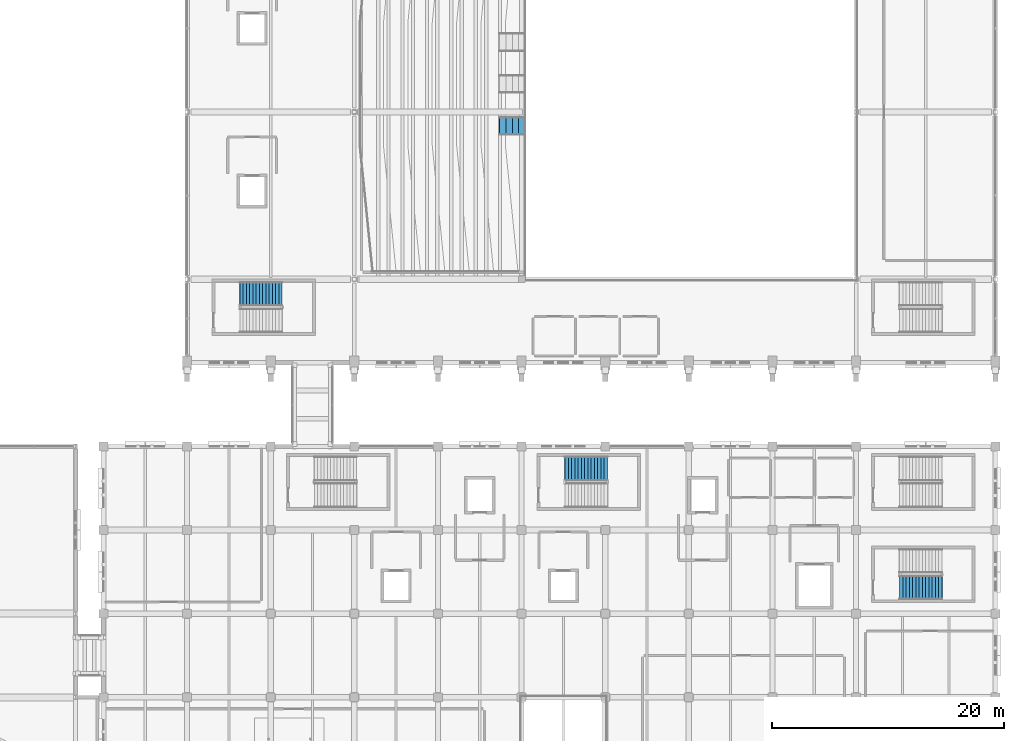
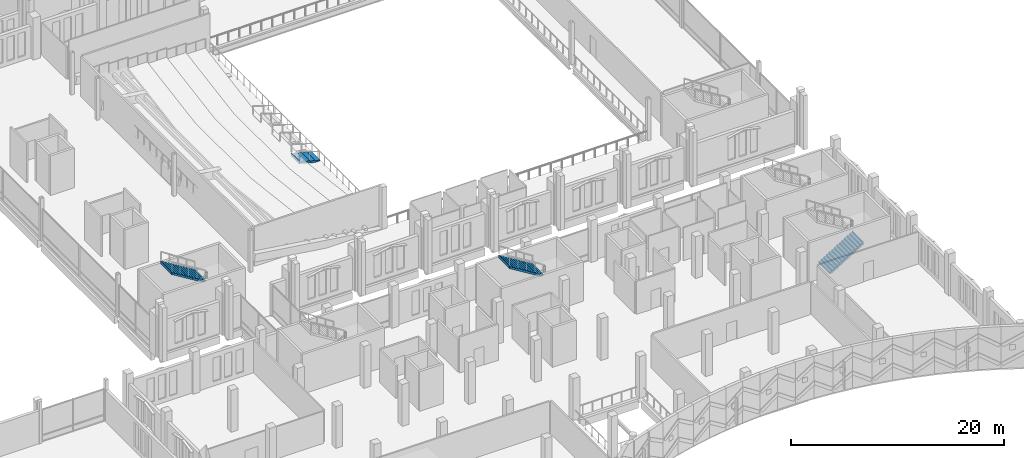
# One storey, part 167 of 193: 4 stair flights, 4 elements without a shape of their own.
"""IFC4 building model written with IfcOpenShell, lengths in metres."""

from ifc_helpers import new_model, si_unit, direction, frame, origin, place, context, subcontext, project, spatial, triangles, material, type_object, element, aggregate, save


model = new_model("IFC4")

# Units and contexts
model_context = context("Model", 3, precision=1e-05, world=origin(), true_north=direction((0.0, 1.0)))
body_context = subcontext(model_context, "Body", "Model", "MODEL_VIEW")
ifc_project = project(units=[si_unit("LENGTHUNIT", "METRE"), si_unit("AREAUNIT", "SQUARE_METRE"), si_unit("VOLUMEUNIT", "CUBIC_METRE"), si_unit("PLANEANGLEUNIT", "RADIAN"), si_unit("MASSUNIT", "GRAM", prefix="KILO")], contexts=[model_context])

# Site, building, storey
site_placement = place(None, origin())
site = spatial("IfcSite", under=ifc_project, at=site_placement, CompositionType="ELEMENT")
building_placement = place(site_placement, origin())
building = spatial("IfcBuilding", under=site, at=building_placement, Name="Cendralis Lancet Convention Centre", CompositionType="ELEMENT")
storey_placement = place(building_placement, frame((0.0, 0.0, 10.199951171875)))
storey = spatial("IfcBuildingStorey", under=building, at=storey_placement, Name="L02", CompositionType="ELEMENT", Elevation=10.199951171875)

# Stair, stair flight
ifc_material = material(Name="Concrete G35 (C35/45)", Category="concrete")
stair_type_1 = type_object("IfcStairType", Name="ARC-ST-CORE", PredefinedType="HALF_TURN_STAIR", material=ifc_material)
stair_1_placement = place(storey_placement, origin())
stair_1 = element("IfcStair", 1, at=stair_1_placement, inside=storey, type_object=stair_type_1, Name="L02 Protected Exit Stair ST-08", PredefinedType="HALF_TURN_STAIR")
stair_flight_type_1 = type_object("IfcStairFlightType", Name="ARC-SF-CORE", PredefinedType="STRAIGHT", material=ifc_material)
stair_flight_1_placement = place(storey_placement, frame((147.389892578125, 49.1298828125, 2.400146484375), z_axis=(0.0, 0.0, 1.0), x_axis=(-1.0, 0.0, 0.0)))
stair_flight_1 = element("IfcStairFlight", 2, at=stair_flight_1_placement, type_object=stair_flight_type_1, Name="ST-08 flight 2", NumberOfRisers=14, NumberOfTreads=13, PredefinedType="STRAIGHT", RiserHeight=0.171428571, TreadLength=0.28, context=body_context, shape_type="Tessellation", body=[
    triangles([(0.0, 0.0, 0.085714), (0.0, 1.050049, 0.0), (0.0, -1.050049, 0.0), (0.0, -1.050049, 0.171429), (0.0, 1.050049, 0.171429), (0.14, 0.0, 0.171429), (0.28, -1.050049, 0.171429), (0.28, 1.050049, 0.171429), (0.14, 0.0, 0.0), (0.28, -1.050049, 0.0), (0.28, 1.050049, 0.0), (0.28, 0.0, 0.257143), (0.28, -1.050049, 0.342857), (0.28, 1.050049, 0.342857), (0.283543, 0.0, 0.342857), (0.287085, -1.050049, 0.342857), (0.287085, 1.050049, 0.342857), (0.283543, 0.0, 0.0), (0.287085, -1.050049, 0.0), (0.287085, 1.050049, 0.0), (0.423543, 0.0, 0.342857), (0.56, -1.050049, 0.342857), (0.56, 1.050049, 0.342857), (0.423543, 0.0, 0.083545), (0.56, -1.050049, 0.167091), (0.56, 1.050049, 0.167091), (0.56, 0.0, 0.428572), (0.56, -1.050049, 0.514286), (0.56, 1.050049, 0.514286), (0.7, 0.0, 0.514286), (0.84, -1.050049, 0.514286), (0.84, 1.050049, 0.514286), (0.7, 0.0, 0.252806), (0.84, -1.050049, 0.33852), (0.84, 1.050049, 0.33852), (0.84, 0.0, 0.6), (0.84, -1.050049, 0.685714), (0.84, 1.050049, 0.685714), (0.98, 0.0, 0.685714), (1.12, -1.050049, 0.685714), (1.12, 1.050049, 0.685714), (0.98, 0.0, 0.424234), (1.12, -1.050049, 0.509948), (1.12, 1.050049, 0.509948), (1.12, 0.0, 0.771429), (1.12, -1.050049, 0.857143), (1.12, 1.050049, 0.857143), (1.26, 0.0, 0.857143), (1.4, -1.050049, 0.857143), (1.4, 1.050049, 0.857143), (1.26, 0.0, 0.595662), (1.4, -1.050049, 0.681377), (1.4, 1.050049, 0.681377), (1.4, 0.0, 0.942857), (1.4, -1.050049, 1.028571), (1.4, 1.050049, 1.028571), (1.54, 0.0, 1.028571), (1.68, -1.050049, 1.028571), (1.68, 1.050049, 1.028571), (1.54, 0.0, 0.767091), (1.68, -1.050049, 0.852805), (1.68, 1.050049, 0.852805), (1.68, 0.0, 1.114286), (1.68, -1.050049, 1.2), (1.68, 1.050049, 1.2), (1.82, 0.0, 1.2), (1.96, -1.050049, 1.2), (1.96, 1.050049, 1.2), (1.82, 0.0, 0.938519), (1.96, -1.050049, 1.024234), (1.96, 1.050049, 1.024234), (1.96, 0.0, 1.285715), (1.96, -1.050049, 1.371429), (1.96, 1.050049, 1.371429), (2.1, 0.0, 1.371429), (2.24, -1.050049, 1.371429), (2.24, 1.050049, 1.371429), (2.1, 0.0, 1.109948), (2.24, -1.050049, 1.195662), (2.24, 1.050049, 1.195662), (2.24, 0.0, 1.457143), (2.24, -1.050049, 1.542857), (2.24, 1.050049, 1.542857), (2.38, 0.0, 1.542857), (2.52, -1.050049, 1.542857), (2.52, 1.050049, 1.542857), (2.38, 0.0, 1.281376), (2.52, -1.050049, 1.367091), (2.52, 1.050049, 1.367091), (2.52, 0.0, 1.628572), (2.52, -1.050049, 1.714286), (2.52, 1.050049, 1.714286), (2.66, 0.0, 1.714286), (2.8, -1.050049, 1.714286), (2.8, 1.050049, 1.714286), (2.66, 0.0, 1.452806), (2.8, -1.050049, 1.53852), (2.8, 1.050049, 1.53852), (2.8, 0.0, 1.8), (2.8, -1.050049, 1.885714), (2.8, 1.050049, 1.885714), (2.94, 0.0, 1.885714), (3.08, -1.050049, 1.885714), (3.08, 1.050049, 1.885714), (2.94, 0.0, 1.624234), (3.08, -1.050049, 1.709948), (3.08, 1.050049, 1.709948), (3.08, 0.0, 1.971429), (3.08, -1.050049, 2.057143), (3.08, 1.050049, 2.057143), (3.22, 0.0, 2.057143), (3.36, -1.050049, 2.057143), (3.36, 1.050049, 2.057143), (3.22, 0.0, 1.795663), (3.36, -1.050049, 1.881377), (3.36, 1.050049, 1.881377), (3.36, 0.0, 2.142857), (3.36, -1.050049, 2.228571), (3.36, 1.050049, 2.228571), (3.5, 0.0, 2.228571), (3.64, -1.050049, 2.228571), (3.64, 1.050049, 2.228571), (3.5, 0.0, 1.967091), (3.64, -1.050049, 2.052805), (3.64, 1.050049, 2.052805), (3.64, 0.0, 2.314285), (3.64, -1.050049, 2.4), (3.64, 1.050049, 2.4), (3.66, 0.0, 2.4), (3.68, -1.050049, 2.4), (3.68, 1.050049, 2.4), (3.66, 0.0, 2.052805), (3.68, -1.050049, 2.052805), (3.68, 1.050049, 2.052805), (3.68, 0.0, 2.226403)], [[2, 3, 1], [3, 4, 1], [4, 5, 1], [5, 2, 1], [4, 7, 6], [7, 8, 6], [8, 5, 6], [5, 4, 6], [10, 3, 9], [3, 2, 9], [2, 11, 9], [11, 10, 9], [3, 10, 7], [3, 7, 4], [2, 8, 11], [2, 5, 8], [8, 7, 12], [7, 13, 12], [13, 14, 12], [14, 8, 12], [13, 16, 15], [16, 17, 15], [17, 14, 15], [14, 13, 15], [19, 10, 18], [10, 11, 18], [11, 20, 18], [20, 19, 18], [10, 19, 16], [10, 16, 7], [7, 16, 13], [11, 17, 20], [11, 8, 17], [8, 14, 17], [16, 22, 21], [22, 23, 21], [23, 17, 21], [17, 16, 21], [25, 19, 24], [19, 20, 24], [20, 26, 24], [26, 25, 24], [19, 25, 22], [19, 22, 16], [20, 23, 26], [20, 17, 23], [23, 22, 27], [22, 28, 27], [28, 29, 27], [29, 23, 27], [28, 31, 30], [31, 32, 30], [32, 29, 30], [29, 28, 30], [34, 25, 33], [25, 26, 33], [26, 35, 33], [35, 34, 33], [25, 34, 31], [25, 31, 22], [22, 31, 28], [26, 32, 35], [26, 23, 32], [23, 29, 32], [32, 31, 36], [31, 37, 36], [37, 38, 36], [38, 32, 36], [37, 40, 39], [40, 41, 39], [41, 38, 39], [38, 37, 39], [43, 34, 42], [34, 35, 42], [35, 44, 42], [44, 43, 42], [34, 43, 40], [34, 40, 31], [31, 40, 37], [35, 41, 44], [35, 32, 41], [32, 38, 41], [41, 40, 45], [40, 46, 45], [46, 47, 45], [47, 41, 45], [46, 49, 48], [49, 50, 48], [50, 47, 48], [47, 46, 48], [52, 43, 51], [43, 44, 51], [44, 53, 51], [53, 52, 51], [43, 52, 49], [43, 49, 40], [40, 49, 46], [44, 50, 53], [44, 41, 50], [41, 47, 50], [50, 49, 54], [49, 55, 54], [55, 56, 54], [56, 50, 54], [55, 58, 57], [58, 59, 57], [59, 56, 57], [56, 55, 57], [61, 52, 60], [52, 53, 60], [53, 62, 60], [62, 61, 60], [52, 61, 58], [52, 58, 49], [49, 58, 55], [53, 59, 62], [53, 50, 59], [50, 56, 59], [59, 58, 63], [58, 64, 63], [64, 65, 63], [65, 59, 63], [64, 67, 66], [67, 68, 66], [68, 65, 66], [65, 64, 66], [70, 61, 69], [61, 62, 69], [62, 71, 69], [71, 70, 69], [61, 70, 67], [61, 67, 58], [58, 67, 64], [62, 68, 71], [62, 59, 68], [59, 65, 68], [68, 67, 72], [67, 73, 72], [73, 74, 72], [74, 68, 72], [73, 76, 75], [76, 77, 75], [77, 74, 75], [74, 73, 75], [79, 70, 78], [70, 71, 78], [71, 80, 78], [80, 79, 78], [70, 79, 76], [70, 76, 67], [67, 76, 73], [71, 77, 80], [71, 68, 77], [68, 74, 77], [77, 76, 81], [76, 82, 81], [82, 83, 81], [83, 77, 81], [82, 85, 84], [85, 86, 84], [86, 83, 84], [83, 82, 84], [88, 79, 87], [79, 80, 87], [80, 89, 87], [89, 88, 87], [79, 88, 85], [79, 85, 76], [76, 85, 82], [80, 86, 89], [80, 77, 86], [77, 83, 86], [86, 85, 90], [85, 91, 90], [91, 92, 90], [92, 86, 90], [91, 94, 93], [94, 95, 93], [95, 92, 93], [92, 91, 93], [97, 88, 96], [88, 89, 96], [89, 98, 96], [98, 97, 96], [88, 97, 94], [88, 94, 85], [85, 94, 91], [89, 95, 98], [89, 86, 95], [86, 92, 95], [95, 94, 99], [94, 100, 99], [100, 101, 99], [101, 95, 99], [100, 103, 102], [103, 104, 102], [104, 101, 102], [101, 100, 102], [106, 97, 105], [97, 98, 105], [98, 107, 105], [107, 106, 105], [97, 106, 103], [97, 103, 94], [94, 103, 100], [98, 104, 107], [98, 95, 104], [95, 101, 104], [104, 103, 108], [103, 109, 108], [109, 110, 108], [110, 104, 108], [109, 112, 111], [112, 113, 111], [113, 110, 111], [110, 109, 111], [115, 106, 114], [106, 107, 114], [107, 116, 114], [116, 115, 114], [106, 115, 112], [106, 112, 103], [103, 112, 109], [107, 113, 116], [107, 104, 113], [104, 110, 113], [113, 112, 117], [112, 118, 117], [118, 119, 117], [119, 113, 117], [118, 121, 120], [121, 122, 120], [122, 119, 120], [119, 118, 120], [124, 115, 123], [115, 116, 123], [116, 125, 123], [125, 124, 123], [115, 124, 121], [115, 121, 112], [112, 121, 118], [116, 122, 125], [116, 113, 122], [113, 119, 122], [122, 121, 126], [121, 127, 126], [127, 128, 126], [128, 122, 126], [127, 130, 129], [130, 131, 129], [131, 128, 129], [128, 127, 129], [133, 124, 132], [124, 125, 132], [125, 134, 132], [134, 133, 132], [124, 133, 130], [124, 130, 121], [121, 130, 127], [125, 131, 134], [125, 122, 131], [122, 128, 131], [133, 134, 135], [134, 131, 135], [131, 130, 135], [130, 133, 135]], closed=True),
])
aggregate(stair_1, [stair_flight_1])

stair_2_placement = place(storey_placement, origin())
stair_2 = element("IfcStair", 3, at=stair_2_placement, inside=storey, type_object=stair_type_1, Name="L02 Protected Exit Stair ST-14", PredefinedType="HALF_TURN_STAIR")
stair_flight_2_placement = place(storey_placement, frame((175.389892578125, 34.080078125, 2.400146484375), z_axis=(0.0, 0.0, 1.0), x_axis=(-1.0, 0.0, 0.0)))
stair_flight_2 = element("IfcStairFlight", 4, at=stair_flight_2_placement, type_object=stair_flight_type_1, Name="ST-14 flight 2", NumberOfRisers=14, NumberOfTreads=13, PredefinedType="STRAIGHT", RiserHeight=0.171428571, TreadLength=0.28, context=body_context, shape_type="Tessellation", body=[
    triangles([(0.0, 0.0, 0.085714), (0.0, 1.050049, 0.0), (0.0, -1.050049, 0.0), (0.0, -1.050049, 0.171429), (0.0, 1.050049, 0.171429), (0.14, 0.0, 0.171429), (0.28, -1.050049, 0.171429), (0.28, 1.050049, 0.171429), (0.14, 0.0, 0.0), (0.28, -1.050049, 0.0), (0.28, 1.050049, 0.0), (0.28, 0.0, 0.257143), (0.28, -1.050049, 0.342857), (0.28, 1.050049, 0.342857), (0.283543, 0.0, 0.342857), (0.287085, -1.050049, 0.342857), (0.287085, 1.050049, 0.342857), (0.283543, 0.0, 0.0), (0.287085, -1.050049, 0.0), (0.287085, 1.050049, 0.0), (0.423543, 0.0, 0.342857), (0.56, -1.050049, 0.342857), (0.56, 1.050049, 0.342857), (0.423543, 0.0, 0.083545), (0.56, -1.050049, 0.167091), (0.56, 1.050049, 0.167091), (0.56, 0.0, 0.428572), (0.56, -1.050049, 0.514286), (0.56, 1.050049, 0.514286), (0.7, 0.0, 0.514286), (0.84, -1.050049, 0.514286), (0.84, 1.050049, 0.514286), (0.7, 0.0, 0.252806), (0.84, -1.050049, 0.33852), (0.84, 1.050049, 0.33852), (0.84, 0.0, 0.6), (0.84, -1.050049, 0.685714), (0.84, 1.050049, 0.685714), (0.98, 0.0, 0.685714), (1.12, -1.050049, 0.685714), (1.12, 1.050049, 0.685714), (0.98, 0.0, 0.424234), (1.12, -1.050049, 0.509948), (1.12, 1.050049, 0.509948), (1.12, 0.0, 0.771429), (1.12, -1.050049, 0.857143), (1.12, 1.050049, 0.857143), (1.26, 0.0, 0.857143), (1.4, -1.050049, 0.857143), (1.4, 1.050049, 0.857143), (1.26, 0.0, 0.595662), (1.4, -1.050049, 0.681377), (1.4, 1.050049, 0.681377), (1.4, 0.0, 0.942857), (1.4, -1.050049, 1.028571), (1.4, 1.050049, 1.028571), (1.54, 0.0, 1.028571), (1.68, -1.050049, 1.028571), (1.68, 1.050049, 1.028571), (1.54, 0.0, 0.767091), (1.68, -1.050049, 0.852805), (1.68, 1.050049, 0.852805), (1.68, 0.0, 1.114286), (1.68, -1.050049, 1.2), (1.68, 1.050049, 1.2), (1.82, 0.0, 1.2), (1.96, -1.050049, 1.2), (1.96, 1.050049, 1.2), (1.82, 0.0, 0.938519), (1.96, -1.050049, 1.024234), (1.96, 1.050049, 1.024234), (1.96, 0.0, 1.285715), (1.96, -1.050049, 1.371429), (1.96, 1.050049, 1.371429), (2.1, 0.0, 1.371429), (2.24, -1.050049, 1.371429), (2.24, 1.050049, 1.371429), (2.1, 0.0, 1.109948), (2.24, -1.050049, 1.195662), (2.24, 1.050049, 1.195662), (2.24, 0.0, 1.457143), (2.24, -1.050049, 1.542857), (2.24, 1.050049, 1.542857), (2.38, 0.0, 1.542857), (2.52, -1.050049, 1.542857), (2.52, 1.050049, 1.542857), (2.38, 0.0, 1.281376), (2.52, -1.050049, 1.367091), (2.52, 1.050049, 1.367091), (2.52, 0.0, 1.628572), (2.52, -1.050049, 1.714286), (2.52, 1.050049, 1.714286), (2.66, 0.0, 1.714286), (2.8, -1.050049, 1.714286), (2.8, 1.050049, 1.714286), (2.66, 0.0, 1.452806), (2.8, -1.050049, 1.53852), (2.8, 1.050049, 1.53852), (2.8, 0.0, 1.8), (2.8, -1.050049, 1.885714), (2.8, 1.050049, 1.885714), (2.94, 0.0, 1.885714), (3.08, -1.050049, 1.885714), (3.08, 1.050049, 1.885714), (2.94, 0.0, 1.624234), (3.08, -1.050049, 1.709948), (3.08, 1.050049, 1.709948), (3.08, 0.0, 1.971429), (3.08, -1.050049, 2.057143), (3.08, 1.050049, 2.057143), (3.22, 0.0, 2.057143), (3.36, -1.050049, 2.057143), (3.36, 1.050049, 2.057143), (3.22, 0.0, 1.795663), (3.36, -1.050049, 1.881377), (3.36, 1.050049, 1.881377), (3.36, 0.0, 2.142857), (3.36, -1.050049, 2.228571), (3.36, 1.050049, 2.228571), (3.5, 0.0, 2.228571), (3.64, -1.050049, 2.228571), (3.64, 1.050049, 2.228571), (3.5, 0.0, 1.967091), (3.64, -1.050049, 2.052805), (3.64, 1.050049, 2.052805), (3.64, 0.0, 2.314285), (3.64, -1.050049, 2.4), (3.64, 1.050049, 2.4), (3.66, 0.0, 2.4), (3.68, -1.050049, 2.4), (3.68, 1.050049, 2.4), (3.66, 0.0, 2.052805), (3.68, -1.050049, 2.052805), (3.68, 1.050049, 2.052805), (3.68, 0.0, 2.226403)], [[2, 3, 1], [3, 4, 1], [4, 5, 1], [5, 2, 1], [4, 7, 6], [7, 8, 6], [8, 5, 6], [5, 4, 6], [10, 3, 9], [3, 2, 9], [2, 11, 9], [11, 10, 9], [3, 10, 7], [3, 7, 4], [2, 8, 11], [2, 5, 8], [8, 7, 12], [7, 13, 12], [13, 14, 12], [14, 8, 12], [13, 16, 15], [16, 17, 15], [17, 14, 15], [14, 13, 15], [19, 10, 18], [10, 11, 18], [11, 20, 18], [20, 19, 18], [10, 19, 16], [10, 16, 7], [7, 16, 13], [11, 17, 20], [11, 8, 17], [8, 14, 17], [16, 22, 21], [22, 23, 21], [23, 17, 21], [17, 16, 21], [25, 19, 24], [19, 20, 24], [20, 26, 24], [26, 25, 24], [19, 25, 22], [19, 22, 16], [20, 23, 26], [20, 17, 23], [23, 22, 27], [22, 28, 27], [28, 29, 27], [29, 23, 27], [28, 31, 30], [31, 32, 30], [32, 29, 30], [29, 28, 30], [34, 25, 33], [25, 26, 33], [26, 35, 33], [35, 34, 33], [25, 34, 31], [25, 31, 22], [22, 31, 28], [26, 32, 35], [26, 23, 32], [23, 29, 32], [32, 31, 36], [31, 37, 36], [37, 38, 36], [38, 32, 36], [37, 40, 39], [40, 41, 39], [41, 38, 39], [38, 37, 39], [43, 34, 42], [34, 35, 42], [35, 44, 42], [44, 43, 42], [34, 43, 40], [34, 40, 31], [31, 40, 37], [35, 41, 44], [35, 32, 41], [32, 38, 41], [41, 40, 45], [40, 46, 45], [46, 47, 45], [47, 41, 45], [46, 49, 48], [49, 50, 48], [50, 47, 48], [47, 46, 48], [52, 43, 51], [43, 44, 51], [44, 53, 51], [53, 52, 51], [43, 52, 49], [43, 49, 40], [40, 49, 46], [44, 50, 53], [44, 41, 50], [41, 47, 50], [50, 49, 54], [49, 55, 54], [55, 56, 54], [56, 50, 54], [55, 58, 57], [58, 59, 57], [59, 56, 57], [56, 55, 57], [61, 52, 60], [52, 53, 60], [53, 62, 60], [62, 61, 60], [52, 61, 58], [52, 58, 49], [49, 58, 55], [53, 59, 62], [53, 50, 59], [50, 56, 59], [59, 58, 63], [58, 64, 63], [64, 65, 63], [65, 59, 63], [64, 67, 66], [67, 68, 66], [68, 65, 66], [65, 64, 66], [70, 61, 69], [61, 62, 69], [62, 71, 69], [71, 70, 69], [61, 70, 67], [61, 67, 58], [58, 67, 64], [62, 68, 71], [62, 59, 68], [59, 65, 68], [68, 67, 72], [67, 73, 72], [73, 74, 72], [74, 68, 72], [73, 76, 75], [76, 77, 75], [77, 74, 75], [74, 73, 75], [79, 70, 78], [70, 71, 78], [71, 80, 78], [80, 79, 78], [70, 79, 76], [70, 76, 67], [67, 76, 73], [71, 77, 80], [71, 68, 77], [68, 74, 77], [77, 76, 81], [76, 82, 81], [82, 83, 81], [83, 77, 81], [82, 85, 84], [85, 86, 84], [86, 83, 84], [83, 82, 84], [88, 79, 87], [79, 80, 87], [80, 89, 87], [89, 88, 87], [79, 88, 85], [79, 85, 76], [76, 85, 82], [80, 86, 89], [80, 77, 86], [77, 83, 86], [86, 85, 90], [85, 91, 90], [91, 92, 90], [92, 86, 90], [91, 94, 93], [94, 95, 93], [95, 92, 93], [92, 91, 93], [97, 88, 96], [88, 89, 96], [89, 98, 96], [98, 97, 96], [88, 97, 94], [88, 94, 85], [85, 94, 91], [89, 95, 98], [89, 86, 95], [86, 92, 95], [95, 94, 99], [94, 100, 99], [100, 101, 99], [101, 95, 99], [100, 103, 102], [103, 104, 102], [104, 101, 102], [101, 100, 102], [106, 97, 105], [97, 98, 105], [98, 107, 105], [107, 106, 105], [97, 106, 103], [97, 103, 94], [94, 103, 100], [98, 104, 107], [98, 95, 104], [95, 101, 104], [104, 103, 108], [103, 109, 108], [109, 110, 108], [110, 104, 108], [109, 112, 111], [112, 113, 111], [113, 110, 111], [110, 109, 111], [115, 106, 114], [106, 107, 114], [107, 116, 114], [116, 115, 114], [106, 115, 112], [106, 112, 103], [103, 112, 109], [107, 113, 116], [107, 104, 113], [104, 110, 113], [113, 112, 117], [112, 118, 117], [118, 119, 117], [119, 113, 117], [118, 121, 120], [121, 122, 120], [122, 119, 120], [119, 118, 120], [124, 115, 123], [115, 116, 123], [116, 125, 123], [125, 124, 123], [115, 124, 121], [115, 121, 112], [112, 121, 118], [116, 122, 125], [116, 113, 122], [113, 119, 122], [122, 121, 126], [121, 127, 126], [127, 128, 126], [128, 122, 126], [127, 130, 129], [130, 131, 129], [131, 128, 129], [128, 127, 129], [133, 124, 132], [124, 125, 132], [125, 134, 132], [134, 133, 132], [124, 133, 130], [124, 130, 121], [121, 130, 127], [125, 131, 134], [125, 122, 131], [122, 128, 131], [133, 134, 135], [134, 131, 135], [131, 130, 135], [130, 133, 135]], closed=True),
])
aggregate(stair_2, [stair_flight_2])

stair_3_placement = place(storey_placement, origin())
stair_3 = element("IfcStair", 5, at=stair_3_placement, inside=storey, type_object=stair_type_1, Name="L02 Protected Exit Stair ST-15", PredefinedType="HALF_TURN_STAIR")
stair_flight_3_placement = place(storey_placement, frame((200.550048828125, 23.85009765625, 0.0), z_axis=(0.0, 0.0, 1.0), x_axis=(1.0, 0.0, 0.0)))
stair_flight_3 = element("IfcStairFlight", 6, at=stair_flight_3_placement, type_object=stair_flight_type_1, Name="ST-15 flight 1", NumberOfRisers=14, NumberOfTreads=13, PredefinedType="STRAIGHT", RiserHeight=0.171428571, TreadLength=0.28, context=body_context, shape_type="Tessellation", body=[
    triangles([(0.0, 0.0, 0.085714), (0.0, 1.050049, 0.0), (0.0, -1.050049, 0.0), (0.0, -1.050049, 0.171429), (0.0, 1.050049, 0.171429), (0.14, 0.0, 0.171429), (0.28, -1.050049, 0.171429), (0.28, 1.050049, 0.171429), (0.14, 0.0, 0.0), (0.28, -1.050049, 0.0), (0.28, 1.050049, 0.0), (0.28, 0.0, 0.257143), (0.28, -1.050049, 0.342857), (0.28, 1.050049, 0.342857), (0.283543, 0.0, 0.342857), (0.287085, -1.050049, 0.342857), (0.287085, 1.050049, 0.342857), (0.283543, 0.0, 0.0), (0.287085, -1.050049, 0.0), (0.287085, 1.050049, 0.0), (0.423543, 0.0, 0.342857), (0.56, -1.050049, 0.342857), (0.56, 1.050049, 0.342857), (0.423543, 0.0, 0.083545), (0.56, -1.050049, 0.167091), (0.56, 1.050049, 0.167091), (0.56, 0.0, 0.428572), (0.56, -1.050049, 0.514286), (0.56, 1.050049, 0.514286), (0.7, 0.0, 0.514286), (0.84, -1.050049, 0.514286), (0.84, 1.050049, 0.514286), (0.7, 0.0, 0.252806), (0.84, -1.050049, 0.33852), (0.84, 1.050049, 0.33852), (0.84, 0.0, 0.6), (0.84, -1.050049, 0.685714), (0.84, 1.050049, 0.685714), (0.98, 0.0, 0.685714), (1.12, -1.050049, 0.685714), (1.12, 1.050049, 0.685714), (0.98, 0.0, 0.424234), (1.12, -1.050049, 0.509948), (1.12, 1.050049, 0.509948), (1.12, 0.0, 0.771429), (1.12, -1.050049, 0.857143), (1.12, 1.050049, 0.857143), (1.26, 0.0, 0.857143), (1.4, -1.050049, 0.857143), (1.4, 1.050049, 0.857143), (1.26, 0.0, 0.595662), (1.4, -1.050049, 0.681377), (1.4, 1.050049, 0.681377), (1.4, 0.0, 0.942857), (1.4, -1.050049, 1.028571), (1.4, 1.050049, 1.028571), (1.54, 0.0, 1.028571), (1.68, -1.050049, 1.028571), (1.68, 1.050049, 1.028571), (1.54, 0.0, 0.767091), (1.68, -1.050049, 0.852805), (1.68, 1.050049, 0.852805), (1.68, 0.0, 1.114286), (1.68, -1.050049, 1.2), (1.68, 1.050049, 1.2), (1.82, 0.0, 1.2), (1.96, -1.050049, 1.2), (1.96, 1.050049, 1.2), (1.82, 0.0, 0.938519), (1.96, -1.050049, 1.024234), (1.96, 1.050049, 1.024234), (1.96, 0.0, 1.285715), (1.96, -1.050049, 1.371429), (1.96, 1.050049, 1.371429), (2.1, 0.0, 1.371429), (2.24, -1.050049, 1.371429), (2.24, 1.050049, 1.371429), (2.1, 0.0, 1.109948), (2.24, -1.050049, 1.195662), (2.24, 1.050049, 1.195662), (2.24, 0.0, 1.457143), (2.24, -1.050049, 1.542857), (2.24, 1.050049, 1.542857), (2.38, 0.0, 1.542857), (2.52, -1.050049, 1.542857), (2.52, 1.050049, 1.542857), (2.38, 0.0, 1.281376), (2.52, -1.050049, 1.367091), (2.52, 1.050049, 1.367091), (2.52, 0.0, 1.628572), (2.52, -1.050049, 1.714286), (2.52, 1.050049, 1.714286), (2.66, 0.0, 1.714286), (2.8, -1.050049, 1.714286), (2.8, 1.050049, 1.714286), (2.66, 0.0, 1.452806), (2.8, -1.050049, 1.53852), (2.8, 1.050049, 1.53852), (2.8, 0.0, 1.8), (2.8, -1.050049, 1.885714), (2.8, 1.050049, 1.885714), (2.94, 0.0, 1.885714), (3.08, -1.050049, 1.885714), (3.08, 1.050049, 1.885714), (2.94, 0.0, 1.624234), (3.08, -1.050049, 1.709948), (3.08, 1.050049, 1.709948), (3.08, 0.0, 1.971429), (3.08, -1.050049, 2.057143), (3.08, 1.050049, 2.057143), (3.22, 0.0, 2.057143), (3.36, -1.050049, 2.057143), (3.36, 1.050049, 2.057143), (3.22, 0.0, 1.795663), (3.36, -1.050049, 1.881377), (3.36, 1.050049, 1.881377), (3.36, 0.0, 2.142857), (3.36, -1.050049, 2.228571), (3.36, 1.050049, 2.228571), (3.5, 0.0, 2.228571), (3.64, -1.050049, 2.228571), (3.64, 1.050049, 2.228571), (3.5, 0.0, 1.967091), (3.64, -1.050049, 2.052805), (3.64, 1.050049, 2.052805), (3.64, 0.0, 2.314285), (3.64, -1.050049, 2.4), (3.64, 1.050049, 2.4), (3.66, 0.0, 2.4), (3.68, -1.050049, 2.4), (3.68, 1.050049, 2.4), (3.66, 0.0, 2.052805), (3.68, -1.050049, 2.052805), (3.68, 1.050049, 2.052805), (3.68, 0.0, 2.226403)], [[2, 3, 1], [3, 4, 1], [4, 5, 1], [5, 2, 1], [4, 7, 6], [7, 8, 6], [8, 5, 6], [5, 4, 6], [10, 3, 9], [3, 2, 9], [2, 11, 9], [11, 10, 9], [3, 10, 7], [3, 7, 4], [2, 8, 11], [2, 5, 8], [8, 7, 12], [7, 13, 12], [13, 14, 12], [14, 8, 12], [13, 16, 15], [16, 17, 15], [17, 14, 15], [14, 13, 15], [19, 10, 18], [10, 11, 18], [11, 20, 18], [20, 19, 18], [10, 19, 16], [10, 16, 7], [7, 16, 13], [11, 17, 20], [11, 8, 17], [8, 14, 17], [16, 22, 21], [22, 23, 21], [23, 17, 21], [17, 16, 21], [25, 19, 24], [19, 20, 24], [20, 26, 24], [26, 25, 24], [19, 25, 22], [19, 22, 16], [20, 23, 26], [20, 17, 23], [23, 22, 27], [22, 28, 27], [28, 29, 27], [29, 23, 27], [28, 31, 30], [31, 32, 30], [32, 29, 30], [29, 28, 30], [34, 25, 33], [25, 26, 33], [26, 35, 33], [35, 34, 33], [25, 34, 31], [25, 31, 22], [22, 31, 28], [26, 32, 35], [26, 23, 32], [23, 29, 32], [32, 31, 36], [31, 37, 36], [37, 38, 36], [38, 32, 36], [37, 40, 39], [40, 41, 39], [41, 38, 39], [38, 37, 39], [43, 34, 42], [34, 35, 42], [35, 44, 42], [44, 43, 42], [34, 43, 40], [34, 40, 31], [31, 40, 37], [35, 41, 44], [35, 32, 41], [32, 38, 41], [41, 40, 45], [40, 46, 45], [46, 47, 45], [47, 41, 45], [46, 49, 48], [49, 50, 48], [50, 47, 48], [47, 46, 48], [52, 43, 51], [43, 44, 51], [44, 53, 51], [53, 52, 51], [43, 52, 49], [43, 49, 40], [40, 49, 46], [44, 50, 53], [44, 41, 50], [41, 47, 50], [50, 49, 54], [49, 55, 54], [55, 56, 54], [56, 50, 54], [55, 58, 57], [58, 59, 57], [59, 56, 57], [56, 55, 57], [61, 52, 60], [52, 53, 60], [53, 62, 60], [62, 61, 60], [52, 61, 58], [52, 58, 49], [49, 58, 55], [53, 59, 62], [53, 50, 59], [50, 56, 59], [59, 58, 63], [58, 64, 63], [64, 65, 63], [65, 59, 63], [64, 67, 66], [67, 68, 66], [68, 65, 66], [65, 64, 66], [70, 61, 69], [61, 62, 69], [62, 71, 69], [71, 70, 69], [61, 70, 67], [61, 67, 58], [58, 67, 64], [62, 68, 71], [62, 59, 68], [59, 65, 68], [68, 67, 72], [67, 73, 72], [73, 74, 72], [74, 68, 72], [73, 76, 75], [76, 77, 75], [77, 74, 75], [74, 73, 75], [79, 70, 78], [70, 71, 78], [71, 80, 78], [80, 79, 78], [70, 79, 76], [70, 76, 67], [67, 76, 73], [71, 77, 80], [71, 68, 77], [68, 74, 77], [77, 76, 81], [76, 82, 81], [82, 83, 81], [83, 77, 81], [82, 85, 84], [85, 86, 84], [86, 83, 84], [83, 82, 84], [88, 79, 87], [79, 80, 87], [80, 89, 87], [89, 88, 87], [79, 88, 85], [79, 85, 76], [76, 85, 82], [80, 86, 89], [80, 77, 86], [77, 83, 86], [86, 85, 90], [85, 91, 90], [91, 92, 90], [92, 86, 90], [91, 94, 93], [94, 95, 93], [95, 92, 93], [92, 91, 93], [97, 88, 96], [88, 89, 96], [89, 98, 96], [98, 97, 96], [88, 97, 94], [88, 94, 85], [85, 94, 91], [89, 95, 98], [89, 86, 95], [86, 92, 95], [95, 94, 99], [94, 100, 99], [100, 101, 99], [101, 95, 99], [100, 103, 102], [103, 104, 102], [104, 101, 102], [101, 100, 102], [106, 97, 105], [97, 98, 105], [98, 107, 105], [107, 106, 105], [97, 106, 103], [97, 103, 94], [94, 103, 100], [98, 104, 107], [98, 95, 104], [95, 101, 104], [104, 103, 108], [103, 109, 108], [109, 110, 108], [110, 104, 108], [109, 112, 111], [112, 113, 111], [113, 110, 111], [110, 109, 111], [115, 106, 114], [106, 107, 114], [107, 116, 114], [116, 115, 114], [106, 115, 112], [106, 112, 103], [103, 112, 109], [107, 113, 116], [107, 104, 113], [104, 110, 113], [113, 112, 117], [112, 118, 117], [118, 119, 117], [119, 113, 117], [118, 121, 120], [121, 122, 120], [122, 119, 120], [119, 118, 120], [124, 115, 123], [115, 116, 123], [116, 125, 123], [125, 124, 123], [115, 124, 121], [115, 121, 112], [112, 121, 118], [116, 122, 125], [116, 113, 122], [113, 119, 122], [122, 121, 126], [121, 127, 126], [127, 128, 126], [128, 122, 126], [127, 130, 129], [130, 131, 129], [131, 128, 129], [128, 127, 129], [133, 124, 132], [124, 125, 132], [125, 134, 132], [134, 133, 132], [124, 133, 130], [124, 130, 121], [121, 130, 127], [125, 131, 134], [125, 122, 131], [122, 128, 131], [133, 134, 135], [134, 131, 135], [131, 130, 135], [130, 133, 135]], closed=True),
])
aggregate(stair_3, [stair_flight_3])

stair_type_2 = type_object("IfcStairType", Name="ARC-ST-VOM", PredefinedType="STRAIGHT_RUN_STAIR", material=ifc_material)
stair_4_placement = place(storey_placement, origin())
stair_4 = element("IfcStair", 7, at=stair_4_placement, inside=storey, type_object=stair_type_2, Name="Plenary Balcony Vomitory Gangway Stair VS-04", PredefinedType="STRAIGHT_RUN_STAIR")
stair_flight_type_2 = type_object("IfcStairFlightType", Name="ARC-SF-VOM", PredefinedType="STRAIGHT", material=ifc_material)
stair_flight_4_placement = place(storey_placement, frame((168.300048828125, 63.60009765625, 0.0), z_axis=(0.0, 0.0, 1.0), x_axis=(-1.0, 0.0, 0.0)))
stair_flight_4 = element("IfcStairFlight", 8, at=stair_flight_4_placement, type_object=stair_flight_type_2, Name="Plenary Balcony Vomitory Gangway Stair VS-04 Flight", NumberOfRisers=5, NumberOfTreads=4, PredefinedType="STRAIGHT", RiserHeight=0.15, TreadLength=0.55, context=body_context, shape_type="Tessellation", body=[
    triangles([(0.0, 0.0, 0.075), (0.0, 0.800049, 0.0), (0.0, -0.800049, 0.0), (0.0, -0.800049, 0.15), (0.0, 0.800049, 0.15), (0.275, 0.0, 0.15), (0.55, -0.800049, 0.15), (0.55, 0.800049, 0.15), (0.275, 0.0, 0.0), (0.55, -0.800049, 0.0), (0.55, 0.800049, 0.0), (0.55, 0.0, 0.225), (0.55, -0.800049, 0.3), (0.55, 0.800049, 0.3), (0.559859, 0.0, 0.3), (0.569717, -0.800049, 0.3), (0.569717, 0.800049, 0.3), (0.559859, 0.0, 0.0), (0.569717, -0.800049, 0.0), (0.569717, 0.800049, 0.0), (0.834858, 0.0, 0.3), (1.1, -0.800049, 0.3), (1.1, 0.800049, 0.3), (0.834859, 0.0, 0.072312), (1.1, -0.800049, 0.144623), (1.1, 0.800049, 0.144623), (1.1, 0.0, 0.375), (1.1, -0.800049, 0.45), (1.1, 0.800049, 0.45), (1.375, 0.0, 0.45), (1.65, -0.800049, 0.45), (1.65, 0.800049, 0.45), (1.375, 0.0, 0.219623), (1.65, -0.800049, 0.294623), (1.65, 0.800049, 0.294623), (1.65, 0.0, 0.525), (1.65, -0.800049, 0.6), (1.65, 0.800049, 0.6), (1.925, 0.0, 0.6), (2.2, -0.800049, 0.6), (2.2, 0.800049, 0.6), (1.925, 0.0, 0.369623), (2.2, -0.800049, 0.444623), (2.2, 0.800049, 0.444623), (2.2, 0.0, 0.675), (2.2, -0.800049, 0.75), (2.2, 0.800049, 0.75), (2.22, 0.0, 0.75), (2.24, -0.800049, 0.75), (2.24, 0.800049, 0.75), (2.22, 0.0, 0.444623), (2.24, -0.800049, 0.444623), (2.24, 0.800049, 0.444623), (2.24, 0.0, 0.597311)], [[2, 3, 1], [3, 4, 1], [4, 5, 1], [5, 2, 1], [4, 7, 6], [7, 8, 6], [8, 5, 6], [5, 4, 6], [10, 3, 9], [3, 2, 9], [2, 11, 9], [11, 10, 9], [3, 10, 7], [3, 7, 4], [2, 8, 11], [2, 5, 8], [8, 7, 12], [7, 13, 12], [13, 14, 12], [14, 8, 12], [13, 16, 15], [16, 17, 15], [17, 14, 15], [14, 13, 15], [19, 10, 18], [10, 11, 18], [11, 20, 18], [20, 19, 18], [10, 19, 16], [10, 16, 7], [7, 16, 13], [11, 17, 20], [11, 8, 17], [8, 14, 17], [16, 22, 21], [22, 23, 21], [23, 17, 21], [17, 16, 21], [25, 19, 24], [19, 20, 24], [20, 26, 24], [26, 25, 24], [19, 25, 22], [19, 22, 16], [20, 23, 26], [20, 17, 23], [23, 22, 27], [22, 28, 27], [28, 29, 27], [29, 23, 27], [28, 31, 30], [31, 32, 30], [32, 29, 30], [29, 28, 30], [34, 25, 33], [25, 26, 33], [26, 35, 33], [35, 34, 33], [25, 34, 31], [25, 31, 22], [22, 31, 28], [26, 32, 35], [26, 23, 32], [23, 29, 32], [32, 31, 36], [31, 37, 36], [37, 38, 36], [38, 32, 36], [37, 40, 39], [40, 41, 39], [41, 38, 39], [38, 37, 39], [43, 34, 42], [34, 35, 42], [35, 44, 42], [44, 43, 42], [34, 43, 40], [34, 40, 31], [31, 40, 37], [35, 41, 44], [35, 32, 41], [32, 38, 41], [41, 40, 45], [40, 46, 45], [46, 47, 45], [47, 41, 45], [46, 49, 48], [49, 50, 48], [50, 47, 48], [47, 46, 48], [52, 43, 51], [43, 44, 51], [44, 53, 51], [53, 52, 51], [43, 52, 49], [43, 49, 40], [40, 49, 46], [44, 50, 53], [44, 41, 50], [41, 47, 50], [52, 53, 54], [53, 50, 54], [50, 49, 54], [49, 52, 54]], closed=True),
])
aggregate(stair_4, [stair_flight_4])

save(model, "model.ifc")
